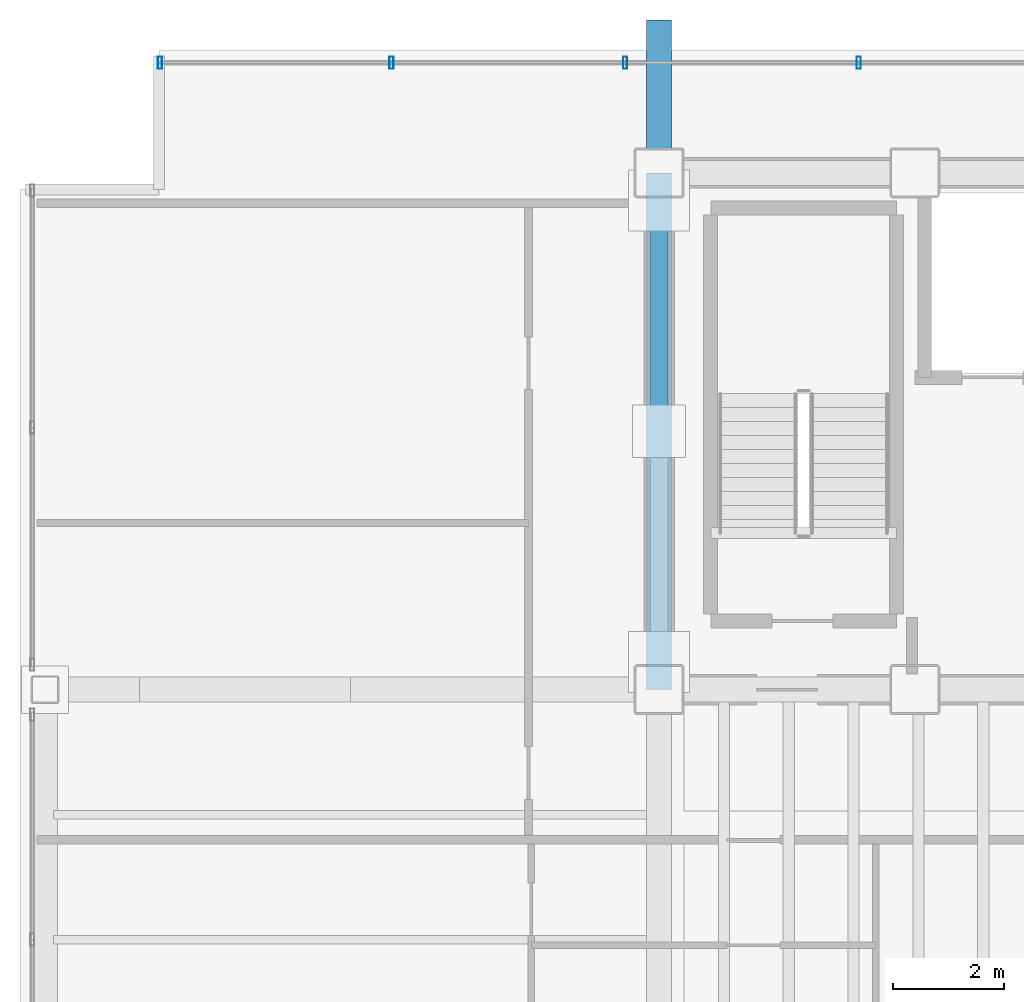
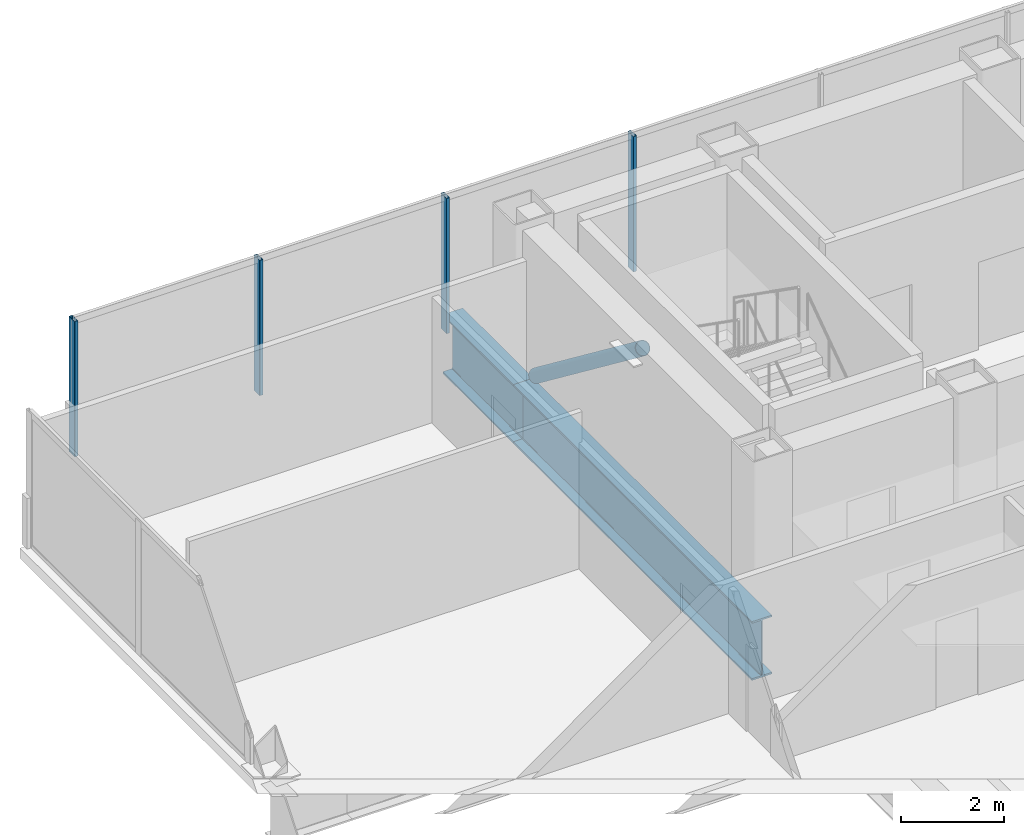
# One storey, part 9 of 24: 5 members, 2 beams, 1 element without a shape of its own.
"""IFC4 building model written with IfcOpenShell, lengths in metres."""

from ifc_helpers import new_model, si_unit, direction, frame, origin, origin_2d, place, context, subcontext, project, spatial, hollow_rectangle, hollow_circle, i_section, extrude, material, material_profile, profile_set, type_object, element, aggregate, save


model = new_model("IFC4")

# Units and contexts
model_context = context("Model", 3, precision=1e-05, world=origin(), true_north=direction((0.0, 1.0)))
body_context = subcontext(model_context, "Body", "Model", "MODEL_VIEW")
ifc_project = project(units=[si_unit("LENGTHUNIT", "METRE"), si_unit("AREAUNIT", "SQUARE_METRE"), si_unit("VOLUMEUNIT", "CUBIC_METRE"), si_unit("PLANEANGLEUNIT", "RADIAN"), si_unit("MASSUNIT", "GRAM", prefix="KILO")], contexts=[model_context])

# Site, building, storey
site_placement = place(None, origin())
site = spatial("IfcSite", under=ifc_project, at=site_placement, CompositionType="ELEMENT")
building_placement = place(site_placement, origin())
building = spatial("IfcBuilding", under=site, at=building_placement, Name="Noeulbin Bourse Tower", CompositionType="ELEMENT")
storey_placement = place(building_placement, frame((0.0, 0.0, 114.89990234375)))
storey = spatial("IfcBuildingStorey", under=building, at=storey_placement, Name="L28", CompositionType="ELEMENT", Elevation=114.89990234375)

# Beams
ifc_material_1 = material(Name="Steel S460", Category="steel")
ifc_material_profile_1 = material_profile(ifc_material_1, i_section(OverallWidth=0.449951171875, OverallDepth=1.39990234375, WebThickness=0.02392578125, FlangeThickness=0.0400390625, FilletRadius=0.02392578125, at=origin_2d()), Name="PG-1400x450x24x40", Category="LoadBearing")
ifc_profile_set_1 = profile_set([ifc_material_profile_1], Name="Steel S460")
beam_type = type_object("IfcBeamType", Name="BM-TRF-1400", PredefinedType="USERDEFINED", material=ifc_profile_set_1)
beam_1_placement = place(storey_placement, frame((13.5, 29.0, -0.93994140625), z_axis=(0.0, 1.0, 0.0), x_axis=(-1.0, 0.0, 0.0)))
element("IfcBeam", 1, at=beam_1_placement, inside=storey, type_object=beam_type, Name="Tower Primary Girder NS L28-1.3", ObjectType="GIRDER", PredefinedType="USERDEFINED", context=body_context, shape_type="SweptSolid", body=[
    extrude(i_section(OverallWidth=0.449951171875, OverallDepth=1.39990234375, WebThickness=0.02392578125, FlangeThickness=0.0400390625, FilletRadius=0.02392578125, at=origin_2d()), origin(), (0.0, 0.0, 1.0), 9.300048828125),
])
beam_2_placement = place(storey_placement, frame((13.5, 38.300048828125, -0.93994140625), z_axis=(0.0, 1.0, 0.0), x_axis=(-1.0, 0.0, 0.0)))
element("IfcBeam", 2, at=beam_2_placement, inside=storey, type_object=beam_type, Name="Tower Primary Girder NS L28-1.4", ObjectType="GIRDER", PredefinedType="USERDEFINED", context=body_context, shape_type="SweptSolid", body=[
    extrude(i_section(OverallWidth=0.449951171875, OverallDepth=1.39990234375, WebThickness=0.02392578125, FlangeThickness=0.0400390625, FilletRadius=0.02392578125, at=origin_2d()), origin(), (0.0, 0.0, 1.0), 2.75),
])

# Curtain wall, members
ifc_material_2 = material(Name="Dark Tinted Triple Glazing", Category="glass")
curtain_wall_type = type_object("IfcCurtainWallType", Name="CW-SYS-3", PredefinedType="NOTDEFINED", material=ifc_material_2)
curtain_wall_placement = place(storey_placement, origin())
curtain_wall = element("IfcCurtainWall", 3, at=curtain_wall_placement, inside=storey, type_object=curtain_wall_type, Name="Unitised Curtain Wall CW-L28-N", PredefinedType="NOTDEFINED")
ifc_material_3 = material(Name="Anodised Aluminium 6063-T6", Category="aluminium")
ifc_material_profile_2 = material_profile(ifc_material_3, hollow_rectangle(XDim=0.074951171875, YDim=0.219970703125, WallThickness=0.0048828125, InnerFilletRadius=0.00244140625, OuterFilletRadius=0.0048828125, at=origin_2d()), Name="ALU-MULL-75x220x5", Category="LoadBearing")
ifc_profile_set_2 = profile_set([ifc_material_profile_2], Name="Anodised Aluminium 6063-T6")
member_type_1 = type_object("IfcMemberType", Name="CW-SYS-3-MUL", PredefinedType="MULLION", material=ifc_profile_set_2)
member_1_placement = place(storey_placement, frame((4.52001953125, 40.280029296875, -0.02001953125), z_axis=(0.0, 0.0, 1.0), x_axis=(1.0, 0.0, 0.0)))
member_1 = element("IfcMember", 4, at=member_1_placement, type_object=member_type_1, Name="Curtain Wall Mullion CW-L28-N-M00", PredefinedType="MULLION", context=body_context, shape_type="SweptSolid", body=[
    extrude(hollow_rectangle(XDim=0.074951171875, YDim=0.219970703125, WallThickness=0.0048828125, InnerFilletRadius=0.00244140625, OuterFilletRadius=0.0048828125, at=origin_2d()), origin(), (0.0, 0.0, 1.0), 3.22021484375),
])
member_2_placement = place(storey_placement, frame((8.68408203125, 40.280029296875, -0.02001953125), z_axis=(0.0, 0.0, 1.0), x_axis=(1.0, 0.0, 0.0)))
member_2 = element("IfcMember", 5, at=member_2_placement, type_object=member_type_1, Name="Curtain Wall Mullion CW-L28-N-M01", PredefinedType="MULLION", context=body_context, shape_type="SweptSolid", body=[
    extrude(hollow_rectangle(XDim=0.074951171875, YDim=0.219970703125, WallThickness=0.0048828125, InnerFilletRadius=0.00244140625, OuterFilletRadius=0.0048828125, at=origin_2d()), origin(), (0.0, 0.0, 1.0), 3.22021484375),
])
member_3_placement = place(storey_placement, frame((12.887939453125, 40.280029296875, -0.02001953125), z_axis=(0.0, 0.0, 1.0), x_axis=(1.0, 0.0, 0.0)))
member_3 = element("IfcMember", 6, at=member_3_placement, type_object=member_type_1, Name="Curtain Wall Mullion CW-L28-N-M02", PredefinedType="MULLION", context=body_context, shape_type="SweptSolid", body=[
    extrude(hollow_rectangle(XDim=0.074951171875, YDim=0.219970703125, WallThickness=0.0048828125, InnerFilletRadius=0.00244140625, OuterFilletRadius=0.0048828125, at=origin_2d()), origin(), (0.0, 0.0, 1.0), 3.22021484375),
])
member_4_placement = place(storey_placement, frame((17.092041015625, 40.280029296875, -0.02001953125), z_axis=(0.0, 0.0, 1.0), x_axis=(1.0, 0.0, 0.0)))
member_4 = element("IfcMember", 7, at=member_4_placement, type_object=member_type_1, Name="Curtain Wall Mullion CW-L28-N-M03", PredefinedType="MULLION", context=body_context, shape_type="SweptSolid", body=[
    extrude(hollow_rectangle(XDim=0.074951171875, YDim=0.219970703125, WallThickness=0.0048828125, InnerFilletRadius=0.00244140625, OuterFilletRadius=0.0048828125, at=origin_2d()), origin(), (0.0, 0.0, 1.0), 3.22021484375),
])
aggregate(curtain_wall, [member_1, member_2, member_3, member_4])

# Member
ifc_material_4 = material(Name="Steel S355", Category="steel")
ifc_material_profile_3 = material_profile(ifc_material_4, hollow_circle(Radius=0.1591796875, WallThickness=0.01025390625, at=origin_2d()), Name="CHS-318.5x10.3", Category="LoadBearing")
ifc_profile_set_3 = profile_set([ifc_material_profile_3], Name="Steel S355")
member_type_2 = type_object("IfcMemberType", Name="MEM-EXO-318", PredefinedType="BRACE", material=ifc_profile_set_3)
member_5_placement = place(storey_placement, frame((13.5, 33.64990234375, 3.3701171875), z_axis=(0.0, 0.794701388985, -0.607000578538), x_axis=(-1.0, 0.0, 0.0)))
element("IfcMember", 8, at=member_5_placement, inside=storey, type_object=member_type_2, Name="Core Flank Chevron Brace XT-L28-W2", PredefinedType="BRACE", context=body_context, shape_type="SweptSolid", body=[
    extrude(hollow_circle(Radius=0.1591796875, WallThickness=0.01025390625, at=origin_2d()), origin(), (0.0, 0.0, 1.0), 5.22216796875),
])

save(model, "model.ifc")
